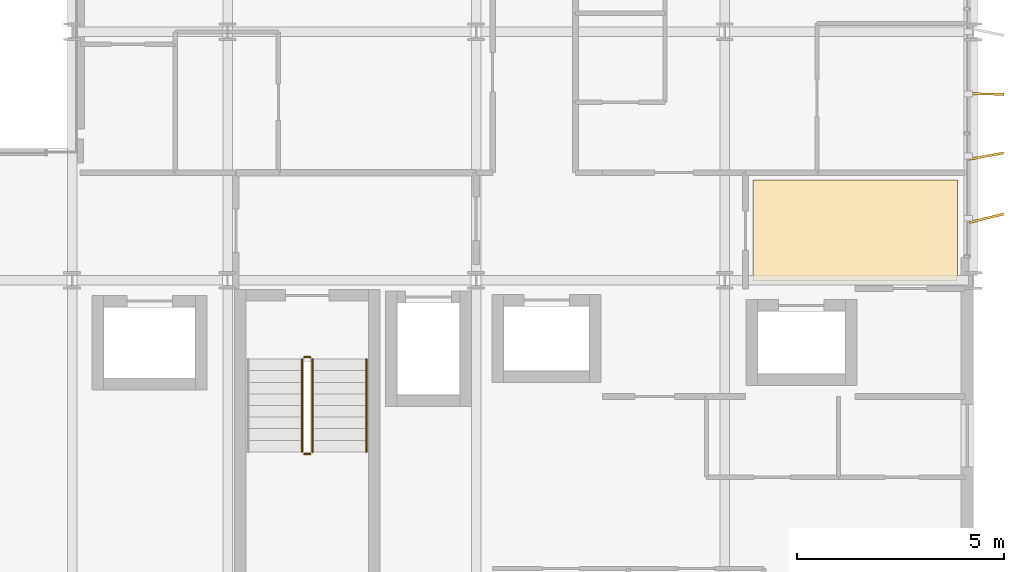
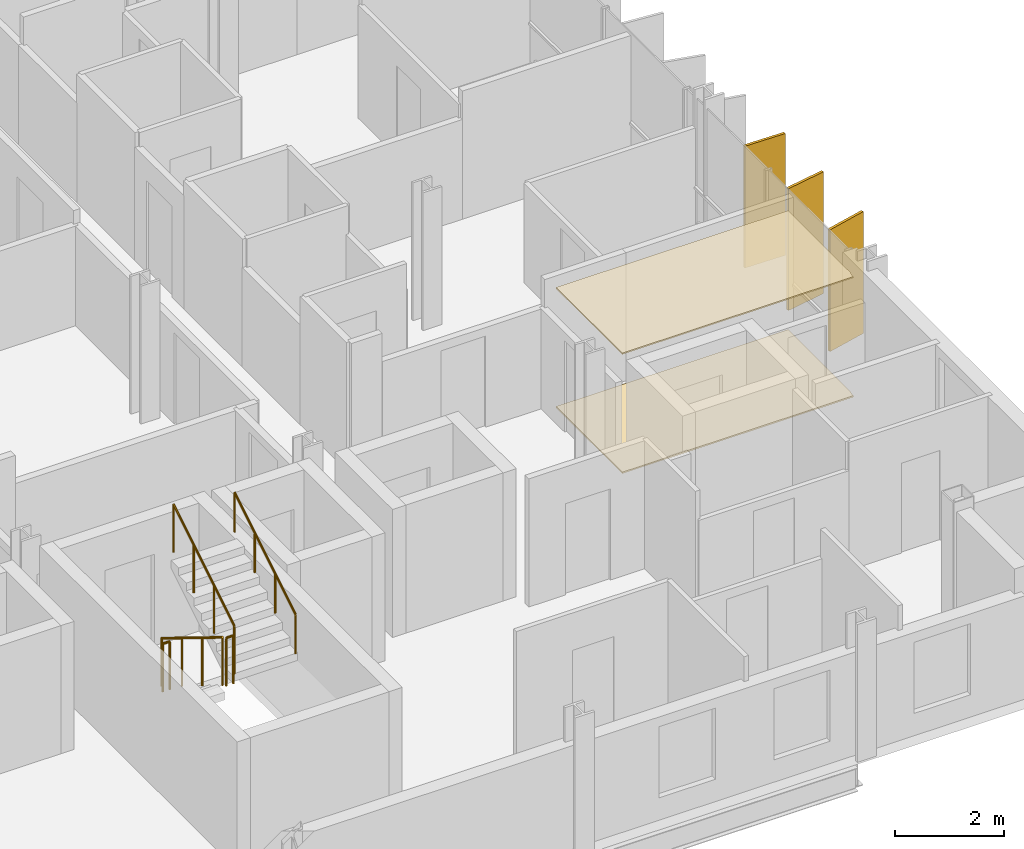
# One storey, part 38 of 39: 5 railings, 3 shading devices, 2 coverings.
"""IFC4 building model written with IfcOpenShell, lengths in metres."""

from ifc_helpers import new_model, si_unit, direction, frame, origin, origin_2d, place, context, subcontext, project, spatial, polyline, rectangle, circle, outline, extrude, material, layer, layer_set, type_object, element, save


model = new_model("IFC4")

# Units and contexts
model_context = context("Model", 3, precision=1e-05, world=origin(), true_north=direction((0.0, 1.0)))
body_context = subcontext(model_context, "Body", "Model", "MODEL_VIEW")
ifc_project = project(units=[si_unit("LENGTHUNIT", "METRE"), si_unit("AREAUNIT", "SQUARE_METRE"), si_unit("VOLUMEUNIT", "CUBIC_METRE"), si_unit("PLANEANGLEUNIT", "RADIAN"), si_unit("MASSUNIT", "GRAM", prefix="KILO")], contexts=[model_context])

# Site, building, storey
site_placement = place(None, origin())
site = spatial("IfcSite", under=ifc_project, at=site_placement, CompositionType="ELEMENT")
building_placement = place(site_placement, origin())
building = spatial("IfcBuilding", under=site, at=building_placement, Name="Brevholm Reach", CompositionType="ELEMENT")
storey_placement = place(building_placement, frame((0.0, 0.0, 103.5)))
storey = spatial("IfcBuildingStorey", under=building, at=storey_placement, Name="L30", CompositionType="ELEMENT", Elevation=103.5)

# Coverings
ifc_material_1 = material(Name="Moisture-Resistant Skimmed Gypsum Plasterboard Ceiling", Category="gypsum")
ifc_layer_1 = layer(ifc_material_1, 0.030029296875)
ifc_layer_set_1 = layer_set([ifc_layer_1], Name="Moisture-Resistant Skimmed Gypsum Plasterboard Ceiling")
covering_type_1 = type_object("IfcCoveringType", Name="COV-CLG-GYP", PredefinedType="CEILING", material=ifc_layer_set_1)
covering_1_placement = place(storey_placement, frame((0.0, 0.0, 2.679931640625)))
element("IfcCovering", 1, at=covering_1_placement, inside=storey, type_object=covering_type_1, Name="L30 Suspended Ceiling L30-30", PredefinedType="CEILING", context=body_context, shape_type="SweptSolid", body=[
    extrude(outline(polyline([(59.6201171875, 12.419921875), (59.6201171875, 10.123779296875), (59.6171875, 10.1162109375), (59.607666015625, 10.077880859375), (59.601806640625, 10.039306640625), (59.60009765625, 10.0), (59.60107421875, 9.97998046875), (54.68408203125, 9.97998046875), (54.68408203125, 12.419921875), (59.6201171875, 12.419921875)])), origin(), (0.0, 0.0, 1.0), 0.030029296875),
])
ifc_material_2 = material(Name="Honed Portland-Aggregate Resin Terrazzo Flooring", Category="concrete")
ifc_layer_2 = layer(ifc_material_2, 0.031982421875)
ifc_layer_set_2 = layer_set([ifc_layer_2], Name="Honed Portland-Aggregate Resin Terrazzo Flooring")
covering_type_2 = type_object("IfcCoveringType", Name="COV-FLR-TRZ", PredefinedType="FLOORING", material=ifc_layer_set_2)
covering_2_placement = place(storey_placement, origin())
element("IfcCovering", 2, at=covering_2_placement, inside=storey, type_object=covering_type_2, Name="L30 Floor Finish L30-30", PredefinedType="FLOORING", context=body_context, shape_type="SweptSolid", body=[
    extrude(outline(polyline([(59.6201171875, 12.419921875), (59.6201171875, 10.123779296875), (59.6171875, 10.1162109375), (59.607666015625, 10.077880859375), (59.601806640625, 10.039306640625), (59.60009765625, 10.0), (59.60107421875, 9.97998046875), (54.68408203125, 9.97998046875), (54.68408203125, 12.419921875), (59.6201171875, 12.419921875)])), origin(), (0.0, 0.0, 1.0), 0.031982421875),
])

# Railings
ifc_material_3 = material(Name="Brushed Stainless Steel EN 1.4401 Continuous Handrail", Category="steel")
railing_type_1 = type_object("IfcRailingType", Name="RAL-HND-950", PredefinedType="HANDRAIL", material=ifc_material_3)
railing_1_placement = place(storey_placement, frame((45.35009765625, 5.860107421875, 1.72216796875)))
element("IfcRailing", 3, at=railing_1_placement, inside=storey, type_object=railing_type_1, Name="L30 ST-2 stair handrail 2", PredefinedType="HANDRAIL", context=body_context, shape_type="SweptSolid", body=[
    extrude(circle(Radius=0.02392578125, at=origin_2d()), frame((0.0, 0.0, 0.8857421875), z_axis=(0.0, 0.851747552033, 0.523952390591), x_axis=(-1.0, 0.0, 0.0)), (0.0, 0.0, 1.0), 2.6298828125),
    extrude(circle(Radius=0.02099609375, at=origin_2d()), origin(), (0.0, 0.0, 1.0), 0.86181640625),
    extrude(circle(Radius=0.02099609375, at=origin_2d()), frame((0.0, 0.74658203125, 0.459228515625)), (0.0, 0.0, 1.0), 0.86181640625),
    extrude(circle(Radius=0.02099609375, at=origin_2d()), frame((0.0, 1.493408203125, 0.918701171875)), (0.0, 0.0, 1.0), 0.86181640625),
    extrude(circle(Radius=0.02099609375, at=origin_2d()), frame((0.0, 2.239990234375, 1.3779296875)), (0.0, 0.0, 1.0), 0.86181640625),
])
ifc_material_4 = material(Name="Painted Tubular Galvanised Steel S275JR Stair Guard", Category="steel")
railing_type_2 = type_object("IfcRailingType", Name="RAL-STG-1120", PredefinedType="BALUSTRADE", material=ifc_material_4)
railing_2_placement = place(storey_placement, frame((43.800048828125, 8.10009765625, 0.172119140625)))
element("IfcRailing", 4, at=railing_2_placement, inside=storey, type_object=railing_type_2, Name="L30 ST-2 stair guard 1", PredefinedType="BALUSTRADE", context=body_context, shape_type="SweptSolid", body=[
    extrude(circle(Radius=0.02392578125, at=origin_2d()), frame((0.0, 0.0, 1.076171875), z_axis=(0.0, -0.851747552033, 0.523952390591), x_axis=(1.0, 0.0, 0.0)), (0.0, 0.0, 1.0), 2.6298828125),
    extrude(circle(Radius=0.02099609375, at=origin_2d()), origin(), (0.0, 0.0, 1.0), 1.052001953125),
    extrude(circle(Radius=0.02099609375, at=origin_2d()), frame((0.0, -0.74658203125, 0.459228515625)), (0.0, 0.0, 1.0), 1.052001953125),
    extrude(circle(Radius=0.02099609375, at=origin_2d()), frame((0.0, -1.493408203125, 0.918701171875)), (0.0, 0.0, 1.0), 1.052001953125),
    extrude(circle(Radius=0.02099609375, at=origin_2d()), frame((0.0, -2.239990234375, 1.3779296875)), (0.0, 0.0, 1.0), 1.052001953125),
])
railing_3_placement = place(storey_placement, frame((43.85009765625, 5.81005859375, 1.550048828125)))
element("IfcRailing", 5, at=railing_3_placement, inside=storey, type_object=railing_type_2, Name="L30 ST-2 stair guard 2", PredefinedType="BALUSTRADE", context=body_context, shape_type="SweptSolid", body=[
    extrude(circle(Radius=0.02392578125, at=origin_2d()), frame((0.0, 0.0, 1.076171875), z_axis=(1.0, 0.0, 0.0), x_axis=(0.0, 1.0, 0.0)), (0.0, 0.0, 1.0), 0.14990234375),
    extrude(circle(Radius=0.02099609375, at=origin_2d()), origin(), (0.0, 0.0, 1.0), 1.052001953125),
    extrude(circle(Radius=0.02099609375, at=origin_2d()), frame((0.14990234375, 0.0, 0.0)), (0.0, 0.0, 1.0), 1.052001953125),
])
railing_4_placement = place(storey_placement, frame((44.050048828125, 5.860107421875, 1.72216796875)))
element("IfcRailing", 6, at=railing_4_placement, inside=storey, type_object=railing_type_2, Name="L30 ST-2 stair guard 3", PredefinedType="BALUSTRADE", context=body_context, shape_type="SweptSolid", body=[
    extrude(circle(Radius=0.02392578125, at=origin_2d()), frame((0.0, 0.0, 1.076171875), z_axis=(0.0, 0.851747552033, 0.523952390591), x_axis=(-1.0, 0.0, 0.0)), (0.0, 0.0, 1.0), 2.6298828125),
    extrude(circle(Radius=0.02099609375, at=origin_2d()), origin(), (0.0, 0.0, 1.0), 1.052001953125),
    extrude(circle(Radius=0.02099609375, at=origin_2d()), frame((0.0, 0.74658203125, 0.459228515625)), (0.0, 0.0, 1.0), 1.052001953125),
    extrude(circle(Radius=0.02099609375, at=origin_2d()), frame((0.0, 1.493408203125, 0.918701171875)), (0.0, 0.0, 1.0), 1.052001953125),
    extrude(circle(Radius=0.02099609375, at=origin_2d()), frame((0.0, 2.239990234375, 1.3779296875)), (0.0, 0.0, 1.0), 1.052001953125),
])
railing_5_placement = place(storey_placement, frame((43.85009765625, 8.14990234375, 0.0)))
element("IfcRailing", 7, at=railing_5_placement, inside=storey, type_object=railing_type_2, Name="L30 ST-2 stair guard 4", PredefinedType="BALUSTRADE", context=body_context, shape_type="SweptSolid", body=[
    extrude(circle(Radius=0.02392578125, at=origin_2d()), frame((0.0, 0.0, 1.076171875), z_axis=(1.0, 0.0, 0.0), x_axis=(0.0, 1.0, 0.0)), (0.0, 0.0, 1.0), 0.14990234375),
    extrude(circle(Radius=0.02099609375, at=origin_2d()), origin(), (0.0, 0.0, 1.0), 1.052001953125),
    extrude(circle(Radius=0.02099609375, at=origin_2d()), frame((0.14990234375, 0.0, 0.0)), (0.0, 0.0, 1.0), 1.052001953125),
])

# Shading devices
ifc_material_5 = material(Name="Perforated Champagne-Bronze Anodised Aluminium", Category="aluminium")
ifc_layer_3 = layer(ifc_material_5, 0.054931640625)
ifc_layer_set_3 = layer_set([ifc_layer_3], Name="Perforated Champagne-Bronze Anodised Aluminium")
shading_device_type = type_object("IfcShadingDeviceType", Name="SHD-FIN-850", PredefinedType="USERDEFINED", material=ifc_layer_set_3)
for number, where, z_axis, x_axis, name in (
    (8, (60.31494140625, 11.5, 0.06982421875), (0.0, 0.0, 1.0), (0.970917393886, 0.239414732734, 0.0), "L30 Perforated Solar Screen Fin 1"),
    (9, (60.31494140625, 13.0, 0.06982421875), (0.0, 0.0, 1.0), (0.984121344546, 0.177496983664, 0.0), "L30 Perforated Solar Screen Fin 2"),
    (10, (60.31494140625, 14.5, 0.06982421875), (0.0, 0.0, 1.0), (0.999815041395, -0.01923234254, 0.0), "L30 Perforated Solar Screen Fin 3"),
):
    element("IfcShadingDevice", number, at=place(storey_placement, frame(where, z_axis=z_axis, x_axis=x_axis)), inside=storey, type_object=shading_device_type, Name=name, ObjectType="SCREEN", PredefinedType="USERDEFINED", context=body_context, shape_type="SweptSolid", body=[
        extrude(rectangle(XDim=0.85009765625, YDim=0.054931640625, at=origin_2d()), origin(), (0.0, 0.0, 1.0), 2.739990234375),
    ])

save(model, "model.ifc")
